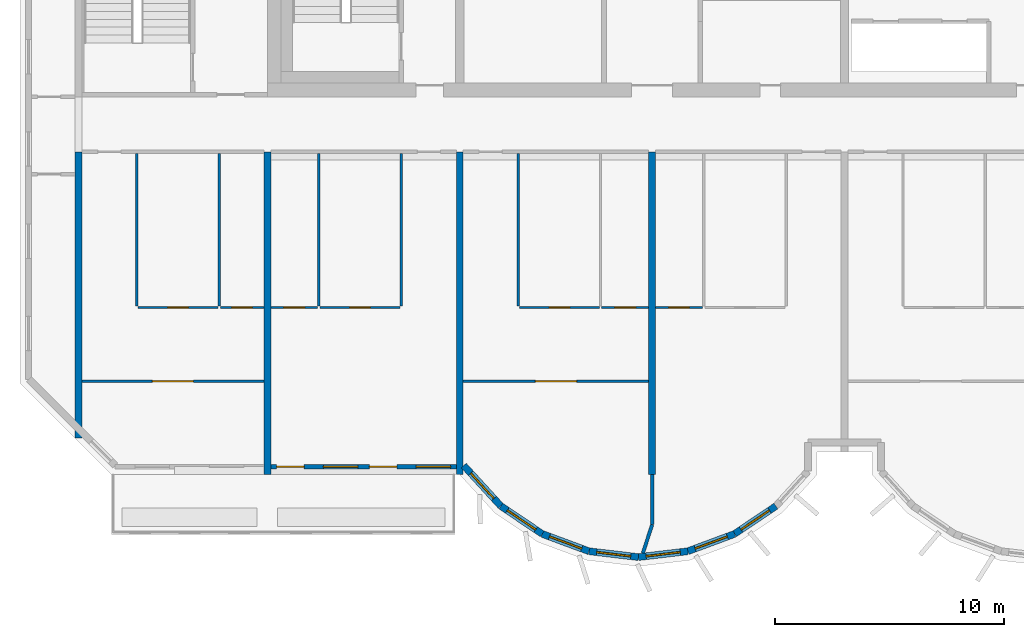
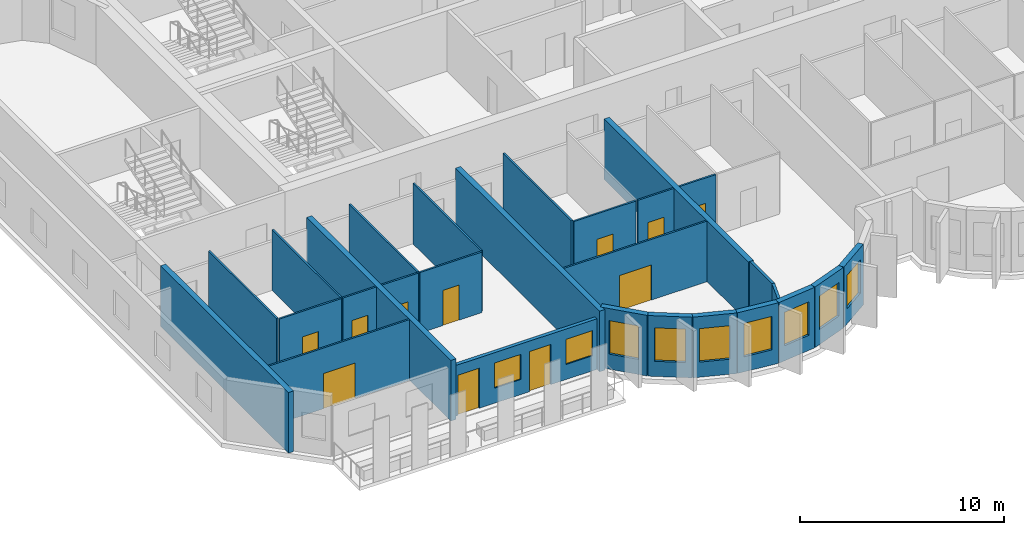
# One storey, part 2 of 12: 28 walls, 11 doors, 9 windows, 20 openings.
"""IFC4 building model written with IfcOpenShell, lengths in metres."""

from ifc_helpers import new_model, si_unit, direction, frame, frame_2d, origin, place, context, subcontext, project, spatial, rectangle, extrude, source, transform, mapped, material, layer, layer_set, type_object, element, fill, save


model = new_model("IFC4")

# Units and contexts
model_context = context("Model", 3, precision=1e-05, world=origin(), true_north=direction((0.0, 1.0)))
body_context = subcontext(model_context, "Body", "Model", "MODEL_VIEW")
ifc_project = project(units=[si_unit("LENGTHUNIT", "METRE"), si_unit("AREAUNIT", "SQUARE_METRE"), si_unit("VOLUMEUNIT", "CUBIC_METRE"), si_unit("PLANEANGLEUNIT", "RADIAN"), si_unit("MASSUNIT", "GRAM", prefix="KILO")], contexts=[model_context])

# Site, building, storey
site_placement = place(None, origin())
site = spatial("IfcSite", under=ifc_project, at=site_placement, CompositionType="ELEMENT")
building_placement = place(site_placement, origin())
building = spatial("IfcBuilding", under=site, at=building_placement, Name="Vanashikhar Sky Hotel", CompositionType="ELEMENT")
storey_placement = place(building_placement, frame((0.0, 0.0, 253.0)))
storey = spatial("IfcBuildingStorey", under=building, at=storey_placement, Name="L61", CompositionType="ELEMENT", Elevation=253.0)

# Walls
ifc_material_1 = material(Name="Concrete M60", Category="concrete")
ifc_layer_1 = layer(ifc_material_1, 0.300048828125)
ifc_layer_set_1 = layer_set([ifc_layer_1], Name="RC shear wall 300 Concrete M60")
wall_type_1 = type_object("IfcWallType", Name="RC shear wall 300 Concrete M60", PredefinedType="SHEAR", material=ifc_layer_set_1)
shared_shape_1 = source(origin(), body_context, "Body", "SweptSolid", [
    extrude(rectangle(XDim=12.5, YDim=0.300048828125, at=frame_2d((6.25, 0.0))), origin(), (0.0, 0.0, 1.0), 3.6201171875),
])
wall_1_placement = place(storey_placement, frame((16.949951171875, 7.10009765625, 0.0), z_axis=(0.0, 0.0, 1.0), x_axis=(0.0, 1.0, 0.0)))
element("IfcWall", 1, at=wall_1_placement, inside=storey, type_object=wall_type_1, Name="CW-L61-XW03-1", PredefinedType="SHEAR", context=body_context, shape_type="MappedRepresentation", body=[
    mapped(shared_shape_1, transform((0.0, 0.0, 0.0), scale=1.0)),
])
shared_shape_2 = source(origin(), body_context, "Body", "SweptSolid", [
    extrude(rectangle(XDim=14.10009765625, YDim=0.300048828125, at=frame_2d((7.050048828125, 0.0))), origin(), (0.0, 0.0, 1.0), 3.6201171875),
])
for number, where, z_axis, x_axis, name in (
    (2, (25.199951171875, 5.5, 0.0), (0.0, 0.0, 1.0), (0.0, 1.0, 0.0), "CW-L61-XW04-1"),
    (3, (33.60009765625, 5.5, 0.0), (0.0, 0.0, 1.0), (0.0, 1.0, 0.0), "CW-L61-XW05-1"),
    (4, (42.0, 5.5, 0.0), (0.0, 0.0, 1.0), (0.0, 1.0, 0.0), "CW-L61-XW06-1"),
):
    element("IfcWall", number, at=place(storey_placement, frame(where, z_axis=z_axis, x_axis=x_axis)), inside=storey, type_object=wall_type_1, Name=name, PredefinedType="SHEAR", context=body_context, shape_type="MappedRepresentation", body=[
        mapped(shared_shape_2, transform((0.0, 0.0, 0.0), scale=1.0)),
    ])

# Wall, openings, windows, doors
ifc_material_2 = material(Name="Concrete M50", Category="concrete")
ifc_layer_2 = layer(ifc_material_2, 0.199951171875)
ifc_layer_set_2 = layer_set([ifc_layer_2], Name="Front window wall 200")
wall_type_2 = type_object("IfcWallType", Name="Front window wall 200", PredefinedType="SOLIDWALL", material=ifc_layer_set_2)
shared_shape_3 = source(origin(), body_context, "Body", "SweptSolid", [
    extrude(rectangle(XDim=8.099853515625, YDim=0.199951171875, at=frame_2d((4.0498046875, 0.0))), origin(), (0.0, 0.0, 1.0), 3.02001953125),
])
wall_2_placement = place(storey_placement, frame((25.35009765625, 5.85009765625, 0.0), z_axis=(0.0, 0.0, 1.0), x_axis=(1.0, 0.0, 0.0)))
wall_2 = element("IfcWall", 5, at=wall_2_placement, inside=storey, type_object=wall_type_2, Name="Front window wall", PredefinedType="SOLIDWALL", context=body_context, shape_type="MappedRepresentation", body=[
    mapped(shared_shape_3, transform((0.0, 0.0, 0.0), scale=1.0)),
])
shared_shape_4 = source(origin(), body_context, "Body", "SweptSolid", [
    extrude(rectangle(XDim=1.199951171875, YDim=2.39990234375, at=frame_2d((0.60009765625, 1.199951171875))), frame((0.0, 0.10986328125, 0.0), z_axis=(0.0, -1.0, 0.0), x_axis=(1.0, 0.0, 0.0)), (0.0, 0.0, 1.0), 0.219970703125),
])
opening_1_placement = place(wall_2_placement, frame((0.25, 0.0, 0.0)))
opening_1 = element("IfcOpeningElement", 6, at=opening_1_placement, cuts=wall_2, Name="Opening BD-01", PredefinedType="OPENING", context=body_context, shape_type="MappedRepresentation", body=[
    mapped(shared_shape_4, transform((0.0, 0.0, 0.0), scale=1.0)),
])
shared_shape_5 = source(origin(), body_context, "Body", "SweptSolid", [
    extrude(rectangle(XDim=1.5, YDim=1.5, at=frame_2d((0.75, 0.75))), frame((0.0, 0.10986328125, 0.0), z_axis=(0.0, -1.0, 0.0), x_axis=(1.0, 0.0, 0.0)), (0.0, 0.0, 1.0), 0.219970703125),
])
opening_2_placement = place(wall_2_placement, frame((2.300048828125, 0.0, 0.89990234375)))
opening_2 = element("IfcOpeningElement", 7, at=opening_2_placement, cuts=wall_2, Name="Opening WN-1", PredefinedType="OPENING", context=body_context, shape_type="MappedRepresentation", body=[
    mapped(shared_shape_5, transform((0.0, 0.0, 0.0), scale=1.0)),
])
opening_3_placement = place(wall_2_placement, frame((4.300048828125, 0.0, 0.0)))
opening_3 = element("IfcOpeningElement", 8, at=opening_3_placement, cuts=wall_2, Name="Opening BD-02", PredefinedType="OPENING", context=body_context, shape_type="MappedRepresentation", body=[
    mapped(shared_shape_4, transform((0.0, 0.0, 0.0), scale=1.0)),
])
opening_4_placement = place(wall_2_placement, frame((6.35009765625, 0.0, 0.89990234375)))
opening_4 = element("IfcOpeningElement", 9, at=opening_4_placement, cuts=wall_2, Name="Opening WN-1", PredefinedType="OPENING", context=body_context, shape_type="MappedRepresentation", body=[
    mapped(shared_shape_5, transform((0.0, 0.0, 0.0), scale=1.0)),
])
ifc_material_3 = material(Name="Glass", Category="glass")
window_type_1 = type_object("IfcWindowType", Name="Window 1500 x 1500", PartitioningType="SINGLE_PANEL", PredefinedType="WINDOW", material=ifc_material_3)
shared_shape_6 = source(origin(), body_context, "Body", "SweptSolid", [
    extrude(rectangle(XDim=1.5, YDim=1.5, at=frame_2d((0.75, 0.75))), frame((0.0, 0.030029296875, 0.0), z_axis=(0.0, -1.0, 0.0), x_axis=(1.0, 0.0, 0.0)), (0.0, 0.0, 1.0), 0.06005859375),
])
window_1_placement = place(opening_2_placement, origin())
window_1 = element("IfcWindow", 10, at=window_1_placement, inside=storey, type_object=window_type_1, Name="Window WN-1", OverallHeight=1.5, OverallWidth=1.5, PartitioningType="SINGLE_PANEL", PredefinedType="WINDOW", context=body_context, shape_type="MappedRepresentation", body=[
    mapped(shared_shape_6, transform((0.0, 0.0, 0.0), scale=1.0)),
])
fill(opening_2, window_1)
window_2_placement = place(opening_4_placement, origin())
window_2 = element("IfcWindow", 11, at=window_2_placement, inside=storey, type_object=window_type_1, Name="Window WN-1", OverallHeight=1.5, OverallWidth=1.5, PartitioningType="SINGLE_PANEL", PredefinedType="WINDOW", context=body_context, shape_type="MappedRepresentation", body=[
    mapped(shared_shape_6, transform((0.0, 0.0, 0.0), scale=1.0)),
])
fill(opening_4, window_2)
ifc_material_4 = material(Name="Aluminium", Category="aluminium")
door_type_1 = type_object("IfcDoorType", Name="Balcony sliding door 1200 x 2400", OperationType="NOTDEFINED", PredefinedType="DOOR", material=ifc_material_4)
shared_shape_7 = source(origin(), body_context, "Body", "SweptSolid", [
    extrude(rectangle(XDim=1.199951171875, YDim=2.39990234375, at=frame_2d((0.60009765625, 1.199951171875))), frame((0.0, 0.02490234375, 0.0), z_axis=(0.0, -1.0, 0.0), x_axis=(1.0, 0.0, 0.0)), (0.0, 0.0, 1.0), 0.050048828125),
])
door_1_placement = place(opening_1_placement, origin())
door_1 = element("IfcDoor", 12, at=door_1_placement, inside=storey, type_object=door_type_1, Name="Balcony sliding door", OperationType="SLIDING_TO_LEFT", OverallHeight=2.39990234375, OverallWidth=1.199951171875, PredefinedType="DOOR", context=body_context, shape_type="MappedRepresentation", body=[
    mapped(shared_shape_7, transform((0.0, 0.0, 0.0), scale=1.0)),
])
fill(opening_1, door_1)
door_2_placement = place(opening_3_placement, origin())
door_2 = element("IfcDoor", 13, at=door_2_placement, inside=storey, type_object=door_type_1, Name="Balcony sliding door", OperationType="SLIDING_TO_RIGHT", OverallHeight=2.39990234375, OverallWidth=1.199951171875, PredefinedType="DOOR", context=body_context, shape_type="MappedRepresentation", body=[
    mapped(shared_shape_7, transform((0.0, 0.0, 0.0), scale=1.0)),
])
fill(opening_3, door_2)

# Wall, opening, window
ifc_layer_3 = layer(ifc_material_2, 0.300048828125)
ifc_layer_set_3 = layer_set([ifc_layer_3], Name="Lobe wall 300")
wall_type_3 = type_object("IfcWallType", Name="Lobe wall 300", PredefinedType="SOLIDWALL", material=ifc_layer_set_3)
shared_shape_8 = source(origin(), body_context, "Body", "SweptSolid", [
    extrude(rectangle(XDim=2.398193359375, YDim=0.300048828125, at=frame_2d((1.19921875, 0.0))), origin(), (0.0, 0.0, 1.0), 3.6201171875),
])
wall_3_placement = place(storey_placement, frame((33.776123046875, 5.89990234375, 0.0), z_axis=(0.0, 0.0, 1.0), x_axis=(0.675374189419, -0.737475222815, 0.0)))
wall_3 = element("IfcWall", 14, at=wall_3_placement, inside=storey, type_object=wall_type_3, Name="Lobe wall", PredefinedType="SOLIDWALL", context=body_context, shape_type="MappedRepresentation", body=[
    mapped(shared_shape_8, transform((0.0, 0.0, 0.0), scale=1.0)),
])
shared_shape_9 = source(origin(), body_context, "Body", "SweptSolid", [
    extrude(rectangle(XDim=1.5, YDim=2.0, at=frame_2d((0.75, 1.0))), frame((0.0, 0.16015625, 0.0), z_axis=(0.0, -1.0, 0.0), x_axis=(1.0, 0.0, 0.0)), (0.0, 0.0, 1.0), 0.320068359375),
])
opening_5_placement = place(wall_3_placement, frame((0.44921875, 0.0, 0.89990234375)))
opening_5 = element("IfcOpeningElement", 15, at=opening_5_placement, cuts=wall_3, Name="Opening WN-2", PredefinedType="OPENING", context=body_context, shape_type="MappedRepresentation", body=[
    mapped(shared_shape_9, transform((0.0, 0.0, 0.0), scale=1.0)),
])
window_type_2 = type_object("IfcWindowType", Name="Lobe window 1500 x 2000", PartitioningType="SINGLE_PANEL", PredefinedType="WINDOW", material=ifc_material_3)
shared_shape_10 = source(origin(), body_context, "Body", "SweptSolid", [
    extrude(rectangle(XDim=1.5, YDim=2.0, at=frame_2d((0.75, 1.0))), frame((0.0, 0.030029296875, 0.0), z_axis=(0.0, -1.0, 0.0), x_axis=(1.0, 0.0, 0.0)), (0.0, 0.0, 1.0), 0.06005859375),
])
window_3_placement = place(opening_5_placement, origin())
window_3 = element("IfcWindow", 16, at=window_3_placement, inside=storey, type_object=window_type_2, Name="Window WN-2", OverallHeight=2.0, OverallWidth=1.5, PartitioningType="SINGLE_PANEL", PredefinedType="WINDOW", context=body_context, shape_type="MappedRepresentation", body=[
    mapped(shared_shape_10, transform((0.0, 0.0, 0.0), scale=1.0)),
])
fill(opening_5, window_3)

shared_shape_11 = source(origin(), body_context, "Body", "SweptSolid", [
    extrude(rectangle(XDim=2.17578125, YDim=0.300048828125, at=frame_2d((1.087890625, 0.0))), origin(), (0.0, 0.0, 1.0), 3.6201171875),
])
wall_4_placement = place(storey_placement, frame((35.395751953125, 4.13134765625, 0.0), z_axis=(0.0, 0.0, 1.0), x_axis=(0.829590746428, -0.558371913192, 0.0)))
wall_4 = element("IfcWall", 17, at=wall_4_placement, inside=storey, type_object=wall_type_3, Name="Lobe wall", PredefinedType="SOLIDWALL", context=body_context, shape_type="MappedRepresentation", body=[
    mapped(shared_shape_11, transform((0.0, 0.0, 0.0), scale=1.0)),
])
opening_6_placement = place(wall_4_placement, frame((0.337890625, 0.0, 0.89990234375)))
opening_6 = element("IfcOpeningElement", 18, at=opening_6_placement, cuts=wall_4, Name="Opening WN-2", PredefinedType="OPENING", context=body_context, shape_type="MappedRepresentation", body=[
    mapped(shared_shape_9, transform((0.0, 0.0, 0.0), scale=1.0)),
])
window_4_placement = place(opening_6_placement, origin())
window_4 = element("IfcWindow", 19, at=window_4_placement, inside=storey, type_object=window_type_2, Name="Window WN-2", OverallHeight=2.0, OverallWidth=1.5, PartitioningType="SINGLE_PANEL", PredefinedType="WINDOW", context=body_context, shape_type="MappedRepresentation", body=[
    mapped(shared_shape_10, transform((0.0, 0.0, 0.0), scale=1.0)),
])
fill(opening_6, window_4)

wall_5_placement = place(storey_placement, frame((37.20068359375, 2.91650390625, 0.0), z_axis=(0.0, 0.0, 1.0), x_axis=(0.93754555999, -0.347862505801, 0.0)))
wall_5 = element("IfcWall", 20, at=wall_5_placement, inside=storey, type_object=wall_type_3, Name="Lobe wall", PredefinedType="SOLIDWALL", context=body_context, shape_type="MappedRepresentation", body=[
    mapped(shared_shape_11, transform((0.0, 0.0, 0.0), scale=1.0)),
])
opening_7_placement = place(wall_5_placement, frame((0.337890625, 0.0, 0.89990234375)))
opening_7 = element("IfcOpeningElement", 21, at=opening_7_placement, cuts=wall_5, Name="Opening WN-2", PredefinedType="OPENING", context=body_context, shape_type="MappedRepresentation", body=[
    mapped(shared_shape_9, transform((0.0, 0.0, 0.0), scale=1.0)),
])
window_5_placement = place(opening_7_placement, origin())
window_5 = element("IfcWindow", 22, at=window_5_placement, inside=storey, type_object=window_type_2, Name="Window WN-2", OverallHeight=2.0, OverallWidth=1.5, PartitioningType="SINGLE_PANEL", PredefinedType="WINDOW", context=body_context, shape_type="MappedRepresentation", body=[
    mapped(shared_shape_10, transform((0.0, 0.0, 0.0), scale=1.0)),
])
fill(opening_7, window_5)

wall_6_placement = place(storey_placement, frame((45.59912109375, 2.91650390625, 0.0), z_axis=(0.0, 0.0, 1.0), x_axis=(0.829625727223, 0.558319937607, 0.0)))
wall_6 = element("IfcWall", 23, at=wall_6_placement, inside=storey, type_object=wall_type_3, Name="Lobe wall", PredefinedType="SOLIDWALL", context=body_context, shape_type="MappedRepresentation", body=[
    mapped(shared_shape_11, transform((0.0, 0.0, 0.0), scale=1.0)),
])
opening_8_placement = place(wall_6_placement, frame((0.337890625, 0.0, 0.89990234375)))
opening_8 = element("IfcOpeningElement", 24, at=opening_8_placement, cuts=wall_6, Name="Opening WN-2", PredefinedType="OPENING", context=body_context, shape_type="MappedRepresentation", body=[
    mapped(shared_shape_9, transform((0.0, 0.0, 0.0), scale=1.0)),
])
window_6_placement = place(opening_8_placement, origin())
window_6 = element("IfcWindow", 25, at=window_6_placement, inside=storey, type_object=window_type_2, Name="Window WN-2", OverallHeight=2.0, OverallWidth=1.5, PartitioningType="SINGLE_PANEL", PredefinedType="WINDOW", context=body_context, shape_type="MappedRepresentation", body=[
    mapped(shared_shape_10, transform((0.0, 0.0, 0.0), scale=1.0)),
])
fill(opening_8, window_6)

shared_shape_12 = source(origin(), body_context, "Body", "SweptSolid", [
    extrude(rectangle(XDim=2.174560546875, YDim=0.300048828125, at=frame_2d((1.08740234375, 0.0))), origin(), (0.0, 0.0, 1.0), 3.6201171875),
])
wall_7_placement = place(storey_placement, frame((39.240478515625, 2.15966796875, 0.0), z_axis=(0.0, 0.0, 1.0), x_axis=(0.993001132889, -0.118104826659, 0.0)))
wall_7 = element("IfcWall", 26, at=wall_7_placement, inside=storey, type_object=wall_type_3, Name="Lobe wall", PredefinedType="SOLIDWALL", context=body_context, shape_type="MappedRepresentation", body=[
    mapped(shared_shape_12, transform((0.0, 0.0, 0.0), scale=1.0)),
])
opening_9_placement = place(wall_7_placement, frame((0.33740234375, 0.0, 0.89990234375)))
opening_9 = element("IfcOpeningElement", 27, at=opening_9_placement, cuts=wall_7, Name="Opening WN-2", PredefinedType="OPENING", context=body_context, shape_type="MappedRepresentation", body=[
    mapped(shared_shape_9, transform((0.0, 0.0, 0.0), scale=1.0)),
])
window_7_placement = place(opening_9_placement, origin())
window_7 = element("IfcWindow", 28, at=window_7_placement, inside=storey, type_object=window_type_2, Name="Window WN-2", OverallHeight=2.0, OverallWidth=1.5, PartitioningType="SINGLE_PANEL", PredefinedType="WINDOW", context=body_context, shape_type="MappedRepresentation", body=[
    mapped(shared_shape_10, transform((0.0, 0.0, 0.0), scale=1.0)),
])
fill(opening_9, window_7)

shared_shape_13 = source(origin(), body_context, "Body", "SweptSolid", [
    extrude(rectangle(XDim=2.1748046875, YDim=0.300048828125, at=frame_2d((1.08740234375, 0.0))), origin(), (0.0, 0.0, 1.0), 3.6201171875),
])
wall_8_placement = place(storey_placement, frame((41.39990234375, 1.90283203125, 0.0), z_axis=(0.0, 0.0, 1.0), x_axis=(0.993002698611, 0.118091661648, 0.0)))
wall_8 = element("IfcWall", 29, at=wall_8_placement, inside=storey, type_object=wall_type_3, Name="Lobe wall", PredefinedType="SOLIDWALL", context=body_context, shape_type="MappedRepresentation", body=[
    mapped(shared_shape_13, transform((0.0, 0.0, 0.0), scale=1.0)),
])
opening_10_placement = place(wall_8_placement, frame((0.33740234375, 0.0, 0.89990234375)))
opening_10 = element("IfcOpeningElement", 30, at=opening_10_placement, cuts=wall_8, Name="Opening WN-2", PredefinedType="OPENING", context=body_context, shape_type="MappedRepresentation", body=[
    mapped(shared_shape_9, transform((0.0, 0.0, 0.0), scale=1.0)),
])
window_8_placement = place(opening_10_placement, origin())
window_8 = element("IfcWindow", 31, at=window_8_placement, inside=storey, type_object=window_type_2, Name="Window WN-2", OverallHeight=2.0, OverallWidth=1.5, PartitioningType="SINGLE_PANEL", PredefinedType="WINDOW", context=body_context, shape_type="MappedRepresentation", body=[
    mapped(shared_shape_10, transform((0.0, 0.0, 0.0), scale=1.0)),
])
fill(opening_10, window_8)

shared_shape_14 = source(origin(), body_context, "Body", "SweptSolid", [
    extrude(rectangle(XDim=2.175537109375, YDim=0.300048828125, at=frame_2d((1.087890625, 0.0))), origin(), (0.0, 0.0, 1.0), 3.6201171875),
])
wall_9_placement = place(storey_placement, frame((43.5595703125, 2.15966796875, 0.0), z_axis=(0.0, 0.0, 1.0), x_axis=(0.937531979054, 0.347899106424, 0.0)))
wall_9 = element("IfcWall", 32, at=wall_9_placement, inside=storey, type_object=wall_type_3, Name="Lobe wall", PredefinedType="SOLIDWALL", context=body_context, shape_type="MappedRepresentation", body=[
    mapped(shared_shape_14, transform((0.0, 0.0, 0.0), scale=1.0)),
])
opening_11_placement = place(wall_9_placement, frame((0.337890625, 0.0, 0.89990234375)))
opening_11 = element("IfcOpeningElement", 33, at=opening_11_placement, cuts=wall_9, Name="Opening WN-2", PredefinedType="OPENING", context=body_context, shape_type="MappedRepresentation", body=[
    mapped(shared_shape_9, transform((0.0, 0.0, 0.0), scale=1.0)),
])
window_9_placement = place(opening_11_placement, origin())
window_9 = element("IfcWindow", 34, at=window_9_placement, inside=storey, type_object=window_type_2, Name="Window WN-2", OverallHeight=2.0, OverallWidth=1.5, PartitioningType="SINGLE_PANEL", PredefinedType="WINDOW", context=body_context, shape_type="MappedRepresentation", body=[
    mapped(shared_shape_10, transform((0.0, 0.0, 0.0), scale=1.0)),
])
fill(opening_11, window_9)

# Wall, opening, door
ifc_material_5 = material(Name="Gypsum plasterboard partition")
ifc_layer_4 = layer(ifc_material_5, 0.10009765625)
ifc_layer_set_4 = layer_set([ifc_layer_4], Name="Wet room partition 100")
wall_type_4 = type_object("IfcWallType", Name="Wet room partition 100", PredefinedType="PARTITIONING", material=ifc_layer_set_4)
shared_shape_15 = source(origin(), body_context, "Body", "SweptSolid", [
    extrude(rectangle(XDim=3.5, YDim=0.10009765625, at=frame_2d((1.75, 0.0))), origin(), (0.0, 0.0, 1.0), 3.6201171875),
])
wall_10_placement = place(storey_placement, frame((19.550048828125, 12.800048828125, 0.0), z_axis=(0.0, 0.0, 1.0), x_axis=(1.0, 0.0, 0.0)))
wall_10 = element("IfcWall", 35, at=wall_10_placement, inside=storey, type_object=wall_type_4, Name="W-L61-PW003", PredefinedType="PARTITIONING", context=body_context, shape_type="MappedRepresentation", body=[
    mapped(shared_shape_15, transform((0.0, 0.0, 0.0), scale=1.0)),
])
shared_shape_16 = source(origin(), body_context, "Body", "SweptSolid", [
    extrude(rectangle(XDim=0.89990234375, YDim=2.10009765625, at=frame_2d((0.449951171875, 1.050048828125))), frame((0.0, 0.06005859375, 0.0), z_axis=(0.0, -1.0, 0.0), x_axis=(1.0, 0.0, 0.0)), (0.0, 0.0, 1.0), 0.1201171875),
])
opening_12_placement = place(wall_10_placement, frame((1.300048828125, 0.0, 0.0)))
opening_12 = element("IfcOpeningElement", 36, at=opening_12_placement, cuts=wall_10, Name="Opening D-02", PredefinedType="OPENING", context=body_context, shape_type="MappedRepresentation", body=[
    mapped(shared_shape_16, transform((0.0, 0.0, 0.0), scale=1.0)),
])
ifc_material_6 = material(Name="Timber door", Category="wood")
door_type_2 = type_object("IfcDoorType", Name="Internal door 900", OperationType="NOTDEFINED", PredefinedType="DOOR", material=ifc_material_6)
shared_shape_17 = source(origin(), body_context, "Body", "SweptSolid", [
    extrude(rectangle(XDim=0.89990234375, YDim=2.10009765625, at=frame_2d((0.449951171875, 1.050048828125))), frame((0.0, 0.02490234375, 0.0), z_axis=(0.0, -1.0, 0.0), x_axis=(1.0, 0.0, 0.0)), (0.0, 0.0, 1.0), 0.050048828125),
])
door_3_placement = place(opening_12_placement, origin())
door_3 = element("IfcDoor", 37, at=door_3_placement, inside=storey, type_object=door_type_2, Name="D-L61-001", OperationType="SINGLE_SWING_LEFT", OverallHeight=2.10009765625, OverallWidth=0.89990234375, PredefinedType="DOOR", context=body_context, shape_type="MappedRepresentation", body=[
    mapped(shared_shape_17, transform((0.0, 0.0, 0.0), scale=1.0)),
])
fill(opening_12, door_3)

wall_11_placement = place(storey_placement, frame((27.5, 12.800048828125, 0.0), z_axis=(0.0, 0.0, 1.0), x_axis=(1.0, 0.0, 0.0)))
wall_11 = element("IfcWall", 38, at=wall_11_placement, inside=storey, type_object=wall_type_4, Name="W-L61-PW009", PredefinedType="PARTITIONING", context=body_context, shape_type="MappedRepresentation", body=[
    mapped(shared_shape_15, transform((0.0, 0.0, 0.0), scale=1.0)),
])
opening_13_placement = place(wall_11_placement, frame((1.300048828125, 0.0, 0.0)))
opening_13 = element("IfcOpeningElement", 39, at=opening_13_placement, cuts=wall_11, Name="Opening D-02", PredefinedType="OPENING", context=body_context, shape_type="MappedRepresentation", body=[
    mapped(shared_shape_16, transform((0.0, 0.0, 0.0), scale=1.0)),
])
door_4_placement = place(opening_13_placement, origin())
door_4 = element("IfcDoor", 40, at=door_4_placement, inside=storey, type_object=door_type_2, Name="D-L61-005", OperationType="SINGLE_SWING_RIGHT", OverallHeight=2.10009765625, OverallWidth=0.89990234375, PredefinedType="DOOR", context=body_context, shape_type="MappedRepresentation", body=[
    mapped(shared_shape_17, transform((0.0, 0.0, 0.0), scale=1.0)),
])
fill(opening_13, door_4)

wall_12_placement = place(storey_placement, frame((36.199951171875, 12.800048828125, 0.0), z_axis=(0.0, 0.0, 1.0), x_axis=(1.0, 0.0, 0.0)))
wall_12 = element("IfcWall", 41, at=wall_12_placement, inside=storey, type_object=wall_type_4, Name="W-L61-PW014", PredefinedType="PARTITIONING", context=body_context, shape_type="MappedRepresentation", body=[
    mapped(shared_shape_15, transform((0.0, 0.0, 0.0), scale=1.0)),
])
opening_14_placement = place(wall_12_placement, frame((1.300048828125, 0.0, 0.0)))
opening_14 = element("IfcOpeningElement", 42, at=opening_14_placement, cuts=wall_12, Name="Opening D-02", PredefinedType="OPENING", context=body_context, shape_type="MappedRepresentation", body=[
    mapped(shared_shape_16, transform((0.0, 0.0, 0.0), scale=1.0)),
])
door_5_placement = place(opening_14_placement, origin())
door_5 = element("IfcDoor", 43, at=door_5_placement, inside=storey, type_object=door_type_2, Name="D-L61-008", OperationType="SINGLE_SWING_LEFT", OverallHeight=2.10009765625, OverallWidth=0.89990234375, PredefinedType="DOOR", context=body_context, shape_type="MappedRepresentation", body=[
    mapped(shared_shape_17, transform((0.0, 0.0, 0.0), scale=1.0)),
])
fill(opening_14, door_5)

shared_shape_18 = source(origin(), body_context, "Body", "SweptSolid", [
    extrude(rectangle(XDim=8.10009765625, YDim=0.10009765625, at=frame_2d((4.050048828125, 0.0))), origin(), (0.0, 0.0, 1.0), 3.6201171875),
])
wall_13_placement = place(storey_placement, frame((33.75, 9.58203125, 0.0), z_axis=(0.0, 0.0, 1.0), x_axis=(1.0, 0.0, 0.0)))
wall_13 = element("IfcWall", 44, at=wall_13_placement, inside=storey, type_object=wall_type_4, Name="W-L61-PW016", PredefinedType="PARTITIONING", context=body_context, shape_type="MappedRepresentation", body=[
    mapped(shared_shape_18, transform((0.0, 0.0, 0.0), scale=1.0)),
])
shared_shape_19 = source(origin(), body_context, "Body", "SweptSolid", [
    extrude(rectangle(XDim=1.800048828125, YDim=2.10009765625, at=frame_2d((0.89990234375, 1.050048828125))), frame((0.0, 0.06005859375, 0.0), z_axis=(0.0, -1.0, 0.0), x_axis=(1.0, 0.0, 0.0)), (0.0, 0.0, 1.0), 0.1201171875),
])
opening_15_placement = place(wall_13_placement, frame((3.14990234375, 0.0, 0.0)))
opening_15 = element("IfcOpeningElement", 45, at=opening_15_placement, cuts=wall_13, Name="Opening D-08", PredefinedType="OPENING", context=body_context, shape_type="MappedRepresentation", body=[
    mapped(shared_shape_19, transform((0.0, 0.0, 0.0), scale=1.0)),
])
door_type_3 = type_object("IfcDoorType", Name="Double leaf door 1800", OperationType="NOTDEFINED", PredefinedType="DOOR", material=ifc_material_6)
shared_shape_20 = source(origin(), body_context, "Body", "SweptSolid", [
    extrude(rectangle(XDim=1.800048828125, YDim=2.10009765625, at=frame_2d((0.89990234375, 1.050048828125))), frame((0.0, 0.02490234375, 0.0), z_axis=(0.0, -1.0, 0.0), x_axis=(1.0, 0.0, 0.0)), (0.0, 0.0, 1.0), 0.050048828125),
])
door_6_placement = place(opening_15_placement, origin())
door_6 = element("IfcDoor", 46, at=door_6_placement, inside=storey, type_object=door_type_3, Name="D-L61-010", OperationType="DOUBLE_DOOR_SINGLE_SWING", OverallHeight=2.10009765625, OverallWidth=1.800048828125, PredefinedType="DOOR", context=body_context, shape_type="MappedRepresentation", body=[
    mapped(shared_shape_20, transform((0.0, 0.0, 0.0), scale=1.0)),
])
fill(opening_15, door_6)

# Walls
ifc_layer_5 = layer(ifc_material_5, 0.14990234375)
ifc_layer_set_5 = layer_set([ifc_layer_5], Name="Corridor and demising partition 150")
wall_type_5 = type_object("IfcWallType", Name="Corridor and demising partition 150", PredefinedType="PARTITIONING", material=ifc_layer_set_5)
shared_shape_21 = source(origin(), body_context, "Body", "SweptSolid", [
    extrude(rectangle(XDim=2.177978515625, YDim=0.14990234375, at=frame_2d((1.0888671875, 0.0))), origin(), (0.0, 0.0, 1.0), 3.6201171875),
])
wall_14_placement = place(storey_placement, frame((42.0, 3.322021484375, 0.0), z_axis=(0.0, 0.0, 1.0), x_axis=(0.0, 1.0, 0.0)))
element("IfcWall", 47, at=wall_14_placement, inside=storey, type_object=wall_type_5, Name="W-L61-PW048", PredefinedType="PARTITIONING", context=body_context, shape_type="MappedRepresentation", body=[
    mapped(shared_shape_21, transform((0.0, 0.0, 0.0), scale=1.0)),
])
shared_shape_22 = source(origin(), body_context, "Body", "SweptSolid", [
    extrude(rectangle(XDim=1.308349609375, YDim=0.14990234375, at=frame_2d((0.654296875, 0.0))), origin(), (0.0, 0.0, 1.0), 3.6201171875),
])
wall_15_placement = place(storey_placement, frame((41.597900390625, 2.076904296875, 0.0), z_axis=(0.0, 0.0, 1.0), x_axis=(0.307313512187, 0.951608325535, 0.0)))
element("IfcWall", 48, at=wall_15_placement, inside=storey, type_object=wall_type_5, Name="W-L61-PW048B0", PredefinedType="PARTITIONING", context=body_context, shape_type="MappedRepresentation", body=[
    mapped(shared_shape_22, transform((0.0, 0.0, 0.0), scale=1.0)),
])
shared_shape_23 = source(origin(), body_context, "Body", "SweptSolid", [
    extrude(rectangle(XDim=6.64990234375, YDim=0.10009765625, at=frame_2d((3.324951171875, 0.0))), origin(), (0.0, 0.0, 1.0), 3.6201171875),
])
for number, where, z_axis, x_axis, name in (
    (49, (19.5, 12.875, 0.0), (0.0, 0.0, 1.0), (0.0, 1.0, 0.0), "W-L61-PW001"),
    (50, (23.10009765625, 12.875, 0.0), (0.0, 0.0, 1.0), (0.0, 1.0, 0.0), "W-L61-PW002"),
    (51, (31.050048828125, 12.875, 0.0), (0.0, 0.0, 1.0), (0.0, 1.0, 0.0), "W-L61-PW007"),
    (52, (27.449951171875, 12.875, 0.0), (0.0, 0.0, 1.0), (0.0, 1.0, 0.0), "W-L61-PW008"),
    (53, (36.14990234375, 12.875, 0.0), (0.0, 0.0, 1.0), (0.0, 1.0, 0.0), "W-L61-PW012"),
):
    element("IfcWall", number, at=place(storey_placement, frame(where, z_axis=z_axis, x_axis=x_axis)), inside=storey, type_object=wall_type_4, Name=name, PredefinedType="PARTITIONING", context=body_context, shape_type="MappedRepresentation", body=[
        mapped(shared_shape_23, transform((0.0, 0.0, 0.0), scale=1.0)),
    ])

# Wall, opening, door
shared_shape_24 = source(origin(), body_context, "Body", "SweptSolid", [
    extrude(rectangle(XDim=1.900146484375, YDim=0.10009765625, at=frame_2d((0.9501953125, 0.0))), origin(), (0.0, 0.0, 1.0), 3.6201171875),
])
wall_16_placement = place(storey_placement, frame((23.14990234375, 12.800048828125, 0.0), z_axis=(0.0, 0.0, 1.0), x_axis=(1.0, 0.0, 0.0)))
wall_16 = element("IfcWall", 54, at=wall_16_placement, inside=storey, type_object=wall_type_4, Name="W-L61-PW004", PredefinedType="PARTITIONING", context=body_context, shape_type="MappedRepresentation", body=[
    mapped(shared_shape_24, transform((0.0, 0.0, 0.0), scale=1.0)),
])
opening_16_placement = place(wall_16_placement, frame((0.5, 0.0, 0.0)))
opening_16 = element("IfcOpeningElement", 55, at=opening_16_placement, cuts=wall_16, Name="Opening D-02", PredefinedType="OPENING", context=body_context, shape_type="MappedRepresentation", body=[
    mapped(shared_shape_16, transform((0.0, 0.0, 0.0), scale=1.0)),
])
door_7_placement = place(opening_16_placement, origin())
door_7 = element("IfcDoor", 56, at=door_7_placement, inside=storey, type_object=door_type_2, Name="D-L61-002", OperationType="SINGLE_SWING_LEFT", OverallHeight=2.10009765625, OverallWidth=0.89990234375, PredefinedType="DOOR", context=body_context, shape_type="MappedRepresentation", body=[
    mapped(shared_shape_17, transform((0.0, 0.0, 0.0), scale=1.0)),
])
fill(opening_16, door_7)

shared_shape_25 = source(origin(), body_context, "Body", "SweptSolid", [
    extrude(rectangle(XDim=7.949951171875, YDim=0.10009765625, at=frame_2d((3.97509765625, 0.0))), origin(), (0.0, 0.0, 1.0), 3.6201171875),
])
wall_17_placement = place(storey_placement, frame((17.10009765625, 9.58203125, 0.0), z_axis=(0.0, 0.0, 1.0), x_axis=(1.0, 0.0, 0.0)))
wall_17 = element("IfcWall", 57, at=wall_17_placement, inside=storey, type_object=wall_type_4, Name="W-L61-PW005", PredefinedType="PARTITIONING", context=body_context, shape_type="MappedRepresentation", body=[
    mapped(shared_shape_25, transform((0.0, 0.0, 0.0), scale=1.0)),
])
opening_17_placement = place(wall_17_placement, frame((3.074951171875, 0.0, 0.0)))
opening_17 = element("IfcOpeningElement", 58, at=opening_17_placement, cuts=wall_17, Name="Opening D-08", PredefinedType="OPENING", context=body_context, shape_type="MappedRepresentation", body=[
    mapped(shared_shape_19, transform((0.0, 0.0, 0.0), scale=1.0)),
])
door_8_placement = place(opening_17_placement, origin())
door_8 = element("IfcDoor", 59, at=door_8_placement, inside=storey, type_object=door_type_3, Name="D-L61-003", OperationType="DOUBLE_DOOR_SINGLE_SWING", OverallHeight=2.10009765625, OverallWidth=1.800048828125, PredefinedType="DOOR", context=body_context, shape_type="MappedRepresentation", body=[
    mapped(shared_shape_20, transform((0.0, 0.0, 0.0), scale=1.0)),
])
fill(opening_17, door_8)

shared_shape_26 = source(origin(), body_context, "Body", "SweptSolid", [
    extrude(rectangle(XDim=2.0498046875, YDim=0.10009765625, at=frame_2d((1.02490234375, 0.0))), origin(), (0.0, 0.0, 1.0), 3.6201171875),
])
wall_18_placement = place(storey_placement, frame((25.35009765625, 12.800048828125, 0.0), z_axis=(0.0, 0.0, 1.0), x_axis=(1.0, 0.0, 0.0)))
wall_18 = element("IfcWall", 60, at=wall_18_placement, inside=storey, type_object=wall_type_4, Name="W-L61-PW010", PredefinedType="PARTITIONING", context=body_context, shape_type="MappedRepresentation", body=[
    mapped(shared_shape_26, transform((0.0, 0.0, 0.0), scale=1.0)),
])
opening_18_placement = place(wall_18_placement, frame((0.574951171875, 0.0, 0.0)))
opening_18 = element("IfcOpeningElement", 61, at=opening_18_placement, cuts=wall_18, Name="Opening D-02", PredefinedType="OPENING", context=body_context, shape_type="MappedRepresentation", body=[
    mapped(shared_shape_16, transform((0.0, 0.0, 0.0), scale=1.0)),
])
door_9_placement = place(opening_18_placement, origin())
door_9 = element("IfcDoor", 62, at=door_9_placement, inside=storey, type_object=door_type_2, Name="D-L61-006", OperationType="SINGLE_SWING_RIGHT", OverallHeight=2.10009765625, OverallWidth=0.89990234375, PredefinedType="DOOR", context=body_context, shape_type="MappedRepresentation", body=[
    mapped(shared_shape_17, transform((0.0, 0.0, 0.0), scale=1.0)),
])
fill(opening_18, door_9)

shared_shape_27 = source(origin(), body_context, "Body", "SweptSolid", [
    extrude(rectangle(XDim=2.050048828125, YDim=0.10009765625, at=frame_2d((1.02490234375, 0.0))), origin(), (0.0, 0.0, 1.0), 3.6201171875),
])
wall_19_placement = place(storey_placement, frame((39.800048828125, 12.800048828125, 0.0), z_axis=(0.0, 0.0, 1.0), x_axis=(1.0, 0.0, 0.0)))
wall_19 = element("IfcWall", 63, at=wall_19_placement, inside=storey, type_object=wall_type_4, Name="W-L61-PW015", PredefinedType="PARTITIONING", context=body_context, shape_type="MappedRepresentation", body=[
    mapped(shared_shape_27, transform((0.0, 0.0, 0.0), scale=1.0)),
])
opening_19_placement = place(wall_19_placement, frame((0.574951171875, 0.0, 0.0)))
opening_19 = element("IfcOpeningElement", 64, at=opening_19_placement, cuts=wall_19, Name="Opening D-02", PredefinedType="OPENING", context=body_context, shape_type="MappedRepresentation", body=[
    mapped(shared_shape_16, transform((0.0, 0.0, 0.0), scale=1.0)),
])
door_10_placement = place(opening_19_placement, origin())
door_10 = element("IfcDoor", 65, at=door_10_placement, inside=storey, type_object=door_type_2, Name="D-L61-009", OperationType="SINGLE_SWING_LEFT", OverallHeight=2.10009765625, OverallWidth=0.89990234375, PredefinedType="DOOR", context=body_context, shape_type="MappedRepresentation", body=[
    mapped(shared_shape_17, transform((0.0, 0.0, 0.0), scale=1.0)),
])
fill(opening_19, door_10)

wall_20_placement = place(storey_placement, frame((42.14990234375, 12.800048828125, 0.0), z_axis=(0.0, 0.0, 1.0), x_axis=(1.0, 0.0, 0.0)))
wall_20 = element("IfcWall", 66, at=wall_20_placement, inside=storey, type_object=wall_type_4, Name="W-L61-PW021", PredefinedType="PARTITIONING", context=body_context, shape_type="MappedRepresentation", body=[
    mapped(shared_shape_27, transform((0.0, 0.0, 0.0), scale=1.0)),
])
opening_20_placement = place(wall_20_placement, frame((0.574951171875, 0.0, 0.0)))
opening_20 = element("IfcOpeningElement", 67, at=opening_20_placement, cuts=wall_20, Name="Opening D-02", PredefinedType="OPENING", context=body_context, shape_type="MappedRepresentation", body=[
    mapped(shared_shape_16, transform((0.0, 0.0, 0.0), scale=1.0)),
])
door_11_placement = place(opening_20_placement, origin())
door_11 = element("IfcDoor", 68, at=door_11_placement, inside=storey, type_object=door_type_2, Name="D-L61-013", OperationType="SINGLE_SWING_RIGHT", OverallHeight=2.10009765625, OverallWidth=0.89990234375, PredefinedType="DOOR", context=body_context, shape_type="MappedRepresentation", body=[
    mapped(shared_shape_17, transform((0.0, 0.0, 0.0), scale=1.0)),
])
fill(opening_20, door_11)

save(model, "model.ifc")
